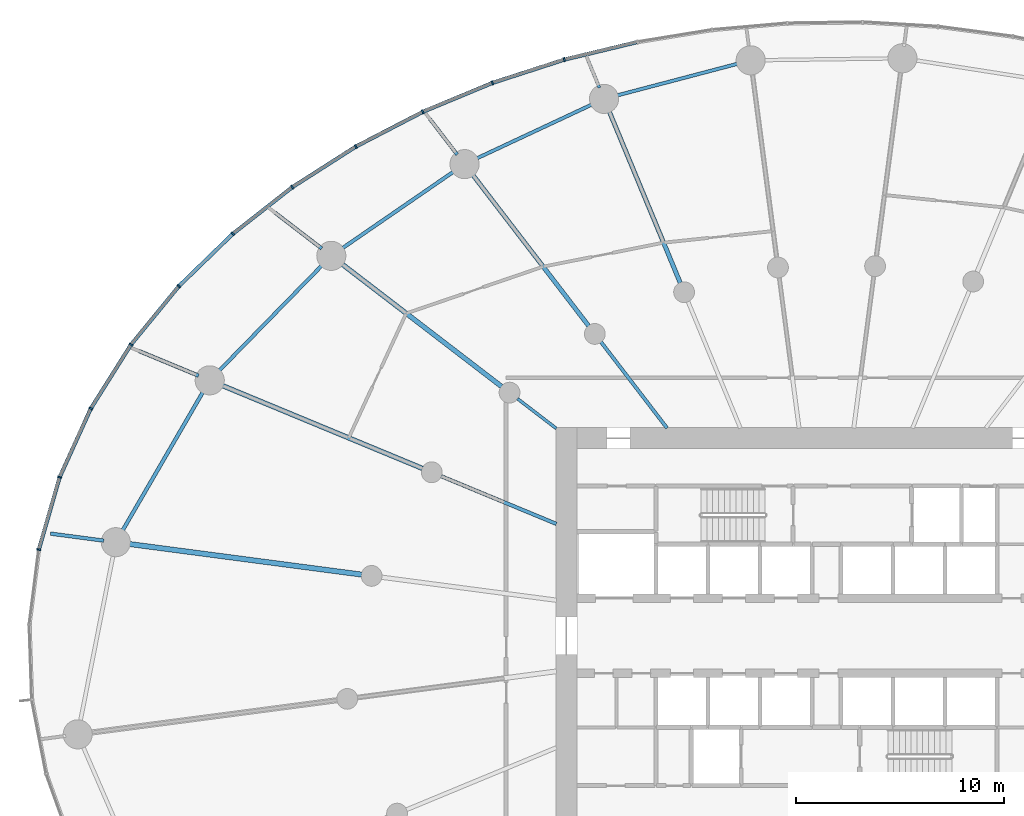
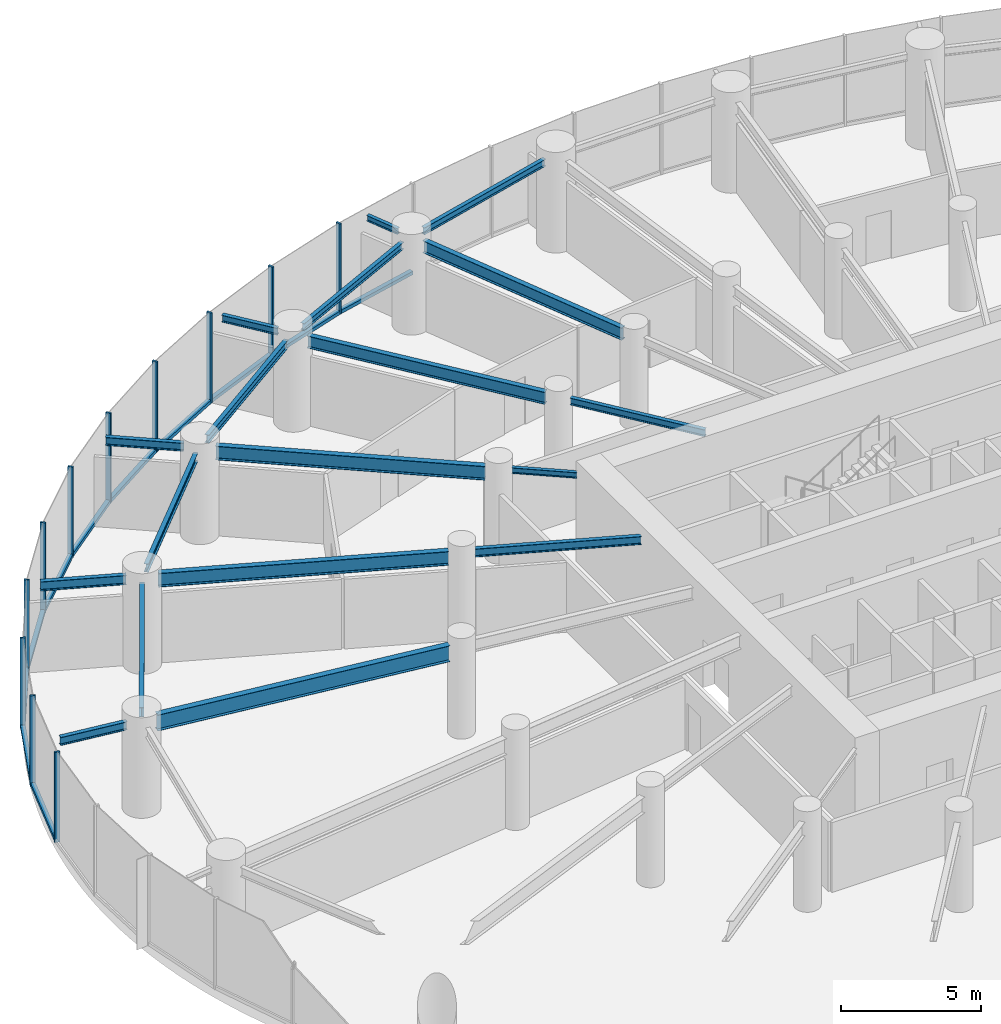
# One storey, part 6 of 19: 22 members, 18 beams, 3 elements without a shape of their own.
"""IFC4 building model written with IfcOpenShell, lengths in metres."""

from ifc_helpers import new_model, si_unit, direction, frame, origin, origin_2d, place, context, subcontext, project, spatial, rectangle, i_section, extrude, source, transform, mapped, material, layer, layer_set, material_profile, profile_set, type_object, element, aggregate, save


model = new_model("IFC4")

# Units and contexts
model_context = context("Model", 3, precision=1e-05, world=origin(), true_north=direction((0.0, 1.0)))
body_context = subcontext(model_context, "Body", "Model", "MODEL_VIEW")
ifc_project = project(units=[si_unit("LENGTHUNIT", "METRE"), si_unit("AREAUNIT", "SQUARE_METRE"), si_unit("VOLUMEUNIT", "CUBIC_METRE"), si_unit("PLANEANGLEUNIT", "RADIAN"), si_unit("MASSUNIT", "GRAM", prefix="KILO")], contexts=[model_context])

# Site, building, storey
site_placement = place(None, origin())
site = spatial("IfcSite", under=ifc_project, at=site_placement, CompositionType="ELEMENT")
building_placement = place(site_placement, origin())
building = spatial("IfcBuilding", under=site, at=building_placement, Name="Spindrift Exchange Tower", CompositionType="ELEMENT")
storey_placement = place(building_placement, frame((0.0, 0.0, 27.0)))
storey = spatial("IfcBuildingStorey", under=building, at=storey_placement, Name="L06", CompositionType="ELEMENT", Elevation=27.0)

# Beams
ifc_material_1 = material(Name="Steel Grade 300", Category="steel")
ifc_material_profile_1 = material_profile(ifc_material_1, i_section(OverallWidth=0.208984375, OverallDepth=0.532958984375, WebThickness=0.01025390625, FlangeThickness=0.015625, FilletRadius=0.013916015625, at=origin_2d()), Name="530UB92.4")
ifc_profile_set_1 = profile_set([ifc_material_profile_1], Name="Steel Grade 300")
beam_type_1 = type_object("IfcBeamType", Name="Floor Beam 530UB92.4 Steel Grade 300", PredefinedType="BEAM", material=ifc_profile_set_1)
shared_shape_1 = source(origin(), body_context, "Body", "SweptSolid", [
    extrude(i_section(OverallWidth=0.208984375, OverallDepth=0.532958984375, WebThickness=0.01025390625, FlangeThickness=0.015625, FilletRadius=0.013916015625, at=origin_2d()), origin(), (0.0, 0.0, 1.0), 8.99658203125),
])
beam_1_placement = place(storey_placement, frame((44.974609375, 64.9609375, 3.68359375), z_axis=(-0.382685731718, 0.923878580085, 0.0), x_axis=(-0.923878580085, -0.382685731718, 0.0)))
element("IfcBeam", 1, at=beam_1_placement, inside=storey, type_object=beam_type_1, Name="L06 radial beam R08B", PredefinedType="BEAM", context=body_context, shape_type="MappedRepresentation", body=[
    mapped(shared_shape_1, transform((0.0, 0.0, 0.0), scale=1.0)),
])
ifc_material_profile_2 = material_profile(ifc_material_1, i_section(OverallWidth=0.1650390625, OverallDepth=0.303955078125, WebThickness=0.006103515625, FlangeThickness=0.01025390625, FilletRadius=0.011474609375, at=origin_2d()), Name="310UB40.4")
ifc_profile_set_2 = profile_set([ifc_material_profile_2], Name="Steel Grade 300")
beam_type_2 = type_object("IfcBeamType", Name="Floor Beam 310UB40.4 Steel Grade 300", PredefinedType="BEAM", material=ifc_profile_set_2)
shared_shape_2 = source(origin(), body_context, "Body", "SweptSolid", [
    extrude(i_section(OverallWidth=0.1650390625, OverallDepth=0.303955078125, WebThickness=0.006103515625, FlangeThickness=0.01025390625, FilletRadius=0.011474609375, at=origin_2d()), origin(), (0.0, 0.0, 1.0), 5.224609375),
])
beam_2_placement = place(storey_placement, frame((44.3388671875, 57.984130859375, 3.798095703125), z_axis=(-0.608741499316, 0.793368632485, 0.0), x_axis=(-0.793368632485, -0.608741499316, 0.0)))
element("IfcBeam", 2, at=beam_2_placement, inside=storey, type_object=beam_type_2, Name="L06 radial beam R09A", PredefinedType="BEAM", context=body_context, shape_type="MappedRepresentation", body=[
    mapped(shared_shape_2, transform((0.0, 0.0, 0.0), scale=1.0)),
])
shared_shape_3 = source(origin(), body_context, "Body", "SweptSolid", [
    extrude(i_section(OverallWidth=0.208984375, OverallDepth=0.532958984375, WebThickness=0.01025390625, FlangeThickness=0.015625, FilletRadius=0.013916015625, at=origin_2d()), origin(), (0.0, 0.0, 1.0), 9.227783203125),
])
beam_3_placement = place(storey_placement, frame((40.573974609375, 62.890625, 3.68359375), z_axis=(-0.608747534474, 0.79336400175, 0.0), x_axis=(-0.79336400175, -0.608747534474, 0.0)))
element("IfcBeam", 3, at=beam_3_placement, inside=storey, type_object=beam_type_1, Name="L06 radial beam R09B", PredefinedType="BEAM", context=body_context, shape_type="MappedRepresentation", body=[
    mapped(shared_shape_3, transform((0.0, 0.0, 0.0), scale=1.0)),
])
ifc_material_profile_3 = material_profile(ifc_material_1, i_section(OverallWidth=0.14599609375, OverallDepth=0.251953125, WebThickness=0.006103515625, FlangeThickness=0.008544921875, FilletRadius=0.011962890625, at=origin_2d()), Name="250UB31.4")
ifc_profile_set_3 = profile_set([ifc_material_profile_3], Name="Steel Grade 300")
beam_type_3 = type_object("IfcBeamType", Name="Floor Beam 250UB31.4 Steel Grade 300", PredefinedType="BEAM", material=ifc_profile_set_3)
shared_shape_4 = source(origin(), body_context, "Body", "SweptSolid", [
    extrude(i_section(OverallWidth=0.14599609375, OverallDepth=0.251953125, WebThickness=0.006103515625, FlangeThickness=0.008544921875, FilletRadius=0.011962890625, at=origin_2d()), origin(), (0.0, 0.0, 1.0), 2.353759765625),
])
beam_4_placement = place(storey_placement, frame((39.015869140625, 57.963134765625, 3.823974609375), z_axis=(-0.793367573265, 0.608742879787, 0.0), x_axis=(-0.608742879787, -0.793367573265, 0.0)))
element("IfcBeam", 4, at=beam_4_placement, inside=storey, type_object=beam_type_3, Name="L06 radial beam R10A", PredefinedType="BEAM", context=body_context, shape_type="MappedRepresentation", body=[
    mapped(shared_shape_4, transform((0.0, 0.0, 0.0), scale=1.0)),
])
ifc_material_profile_4 = material_profile(ifc_material_1, i_section(OverallWidth=0.22802734375, OverallDepth=0.60693359375, WebThickness=0.01123046875, FlangeThickness=0.017333984375, FilletRadius=0.013916015625, at=origin_2d()), Name="610UB113")
ifc_profile_set_4 = profile_set([ifc_material_profile_4], Name="Steel Grade 300")
beam_type_4 = type_object("IfcBeamType", Name="Floor Beam 610UB113 Steel Grade 300", PredefinedType="BEAM", material=ifc_profile_set_4)
shared_shape_5 = source(origin(), body_context, "Body", "SweptSolid", [
    extrude(i_section(OverallWidth=0.22802734375, OverallDepth=0.60693359375, WebThickness=0.01123046875, FlangeThickness=0.017333984375, FilletRadius=0.013916015625, at=origin_2d()), origin(), (0.0, 0.0, 1.0), 9.73974609375),
])
beam_5_placement = place(storey_placement, frame((36.38671875, 59.98046875, 3.646484375), z_axis=(-0.793352119621, 0.608763019814, 0.0), x_axis=(-0.608763019814, -0.793352119621, 0.0)))
element("IfcBeam", 5, at=beam_5_placement, inside=storey, type_object=beam_type_4, Name="L06 radial beam R10B", PredefinedType="BEAM", context=body_context, shape_type="MappedRepresentation", body=[
    mapped(shared_shape_5, transform((0.0, 0.0, 0.0), scale=1.0)),
])
ifc_material_profile_5 = material_profile(ifc_material_1, i_section(OverallWidth=0.172119140625, OverallDepth=0.35888671875, WebThickness=0.008056640625, FlangeThickness=0.012939453125, FilletRadius=0.013916015625, at=origin_2d()), Name="360UB56.7")
ifc_profile_set_5 = profile_set([ifc_material_profile_5], Name="Steel Grade 300")
beam_type_5 = type_object("IfcBeamType", Name="Floor Beam 360UB56.7 Steel Grade 300", PredefinedType="BEAM", material=ifc_profile_set_5)
shared_shape_6 = source(origin(), body_context, "Body", "SweptSolid", [
    extrude(i_section(OverallWidth=0.172119140625, OverallDepth=0.35888671875, WebThickness=0.008056640625, FlangeThickness=0.012939453125, FilletRadius=0.013916015625, at=origin_2d()), origin(), (0.0, 0.0, 1.0), 6.004638671875),
])
beam_6_placement = place(storey_placement, frame((39.0185546875, 53.377197265625, 3.7705078125), z_axis=(-0.923882044911, 0.38267736684, 0.0), x_axis=(-0.38267736684, -0.923882044911, 0.0)))
element("IfcBeam", 6, at=beam_6_placement, inside=storey, type_object=beam_type_5, Name="L06 radial beam R11A", PredefinedType="BEAM", context=body_context, shape_type="MappedRepresentation", body=[
    mapped(shared_shape_6, transform((0.0, 0.0, 0.0), scale=1.0)),
])
shared_shape_7 = source(origin(), body_context, "Body", "SweptSolid", [
    extrude(i_section(OverallWidth=0.22802734375, OverallDepth=0.60693359375, WebThickness=0.01123046875, FlangeThickness=0.017333984375, FilletRadius=0.013916015625, at=origin_2d()), origin(), (0.0, 0.0, 1.0), 10.4912109375),
])
beam_7_placement = place(storey_placement, frame((32.583984375, 56.04248046875, 3.646484375), z_axis=(-0.923885231151, 0.382669674342, 0.0), x_axis=(-0.382669674342, -0.923885231151, 0.0)))
element("IfcBeam", 7, at=beam_7_placement, inside=storey, type_object=beam_type_4, Name="L06 radial beam R11B", PredefinedType="BEAM", context=body_context, shape_type="MappedRepresentation", body=[
    mapped(shared_shape_7, transform((0.0, 0.0, 0.0), scale=1.0)),
])
ifc_material_profile_6 = material_profile(ifc_material_1, i_section(OverallWidth=0.25, OverallDepth=0.699951171875, WebThickness=0.008056640625, FlangeThickness=0.011962890625, at=origin_2d()), Name="700WB115")
ifc_profile_set_6 = profile_set([ifc_material_profile_6], Name="Steel Grade 300")
beam_type_6 = type_object("IfcBeamType", Name="Floor Beam 700WB115 Steel Grade 300", PredefinedType="BEAM", material=ifc_profile_set_6)
shared_shape_8 = source(origin(), body_context, "Body", "SweptSolid", [
    extrude(i_section(OverallWidth=0.25, OverallDepth=0.699951171875, WebThickness=0.008056640625, FlangeThickness=0.011962890625, at=origin_2d()), origin(), (0.0, 0.0, 1.0), 11.34423828125),
])
beam_8_placement = place(storey_placement, frame((29.660888671875, 50.94091796875, 3.60009765625), z_axis=(-0.991444770187, 0.130526884848, 0.0), x_axis=(-0.130526884848, -0.991444770187, 0.0)))
element("IfcBeam", 8, at=beam_8_placement, inside=storey, type_object=beam_type_6, Name="L06 radial beam R12B", PredefinedType="BEAM", context=body_context, shape_type="MappedRepresentation", body=[
    mapped(shared_shape_8, transform((0.0, 0.0, 0.0), scale=1.0)),
])
ifc_material_profile_7 = material_profile(ifc_material_1, i_section(OverallWidth=0.1650390625, OverallDepth=0.303955078125, WebThickness=0.006103515625, FlangeThickness=0.01025390625, FilletRadius=0.011474609375, at=origin_2d()), Name="310UB40.4")
ifc_profile_set_7 = profile_set([ifc_material_profile_7], Name="Steel Grade 300")
beam_type_7 = type_object("IfcBeamType", Name="Edge Beam 310UB40.4 Steel Grade 300", PredefinedType="SPANDREL", material=ifc_profile_set_7)
shared_shape_9 = source(origin(), body_context, "Body", "SweptSolid", [
    extrude(i_section(OverallWidth=0.1650390625, OverallDepth=0.303955078125, WebThickness=0.006103515625, FlangeThickness=0.01025390625, FilletRadius=0.011474609375, at=origin_2d()), origin(), (0.0, 0.0, 1.0), 6.128173828125),
])
beam_9_placement = place(storey_placement, frame((47.79736328125, 75.513916015625, 3.798095703125), z_axis=(-0.967147261855, -0.254216785216, 0.0), x_axis=(0.254216785216, -0.967147261855, 0.0)))
element("IfcBeam", 9, at=beam_9_placement, inside=storey, type_object=beam_type_7, Name="L06 edge beam E07", PredefinedType="SPANDREL", context=body_context, shape_type="MappedRepresentation", body=[
    mapped(shared_shape_9, transform((0.0, 0.0, 0.0), scale=1.0)),
])
shared_shape_10 = source(origin(), body_context, "Body", "SweptSolid", [
    extrude(i_section(OverallWidth=0.1650390625, OverallDepth=0.303955078125, WebThickness=0.006103515625, FlangeThickness=0.01025390625, FilletRadius=0.011474609375, at=origin_2d()), origin(), (0.0, 0.0, 1.0), 6.243408203125),
])
beam_10_placement = place(storey_placement, frame((40.7841796875, 73.56298828125, 3.798095703125), z_axis=(-0.905791146607, -0.423724437257, 0.0), x_axis=(0.423724437257, -0.905791146607, 0.0)))
element("IfcBeam", 10, at=beam_10_placement, inside=storey, type_object=beam_type_7, Name="L06 edge beam E08", PredefinedType="SPANDREL", context=body_context, shape_type="MappedRepresentation", body=[
    mapped(shared_shape_10, transform((0.0, 0.0, 0.0), scale=1.0)),
])
ifc_material_profile_8 = material_profile(ifc_material_1, i_section(OverallWidth=0.172119140625, OverallDepth=0.35888671875, WebThickness=0.008056640625, FlangeThickness=0.012939453125, FilletRadius=0.013916015625, at=origin_2d()), Name="360UB56.7")
ifc_profile_set_8 = profile_set([ifc_material_profile_8], Name="Steel Grade 300")
beam_type_8 = type_object("IfcBeamType", Name="Edge Beam 360UB56.7 Steel Grade 300", PredefinedType="SPANDREL", material=ifc_profile_set_8)
shared_shape_11 = source(origin(), body_context, "Body", "SweptSolid", [
    extrude(i_section(OverallWidth=0.172119140625, OverallDepth=0.35888671875, WebThickness=0.008056640625, FlangeThickness=0.012939453125, FilletRadius=0.013916015625, at=origin_2d()), origin(), (0.0, 0.0, 1.0), 6.614990234375),
])
beam_11_placement = place(storey_placement, frame((34.125732421875, 70.3427734375, 3.7705078125), z_axis=(-0.823690708835, -0.567039342708, 0.0), x_axis=(0.567039342708, -0.823690708835, 0.0)))
element("IfcBeam", 11, at=beam_11_placement, inside=storey, type_object=beam_type_8, Name="L06 edge beam E09", PredefinedType="SPANDREL", context=body_context, shape_type="MappedRepresentation", body=[
    mapped(shared_shape_11, transform((0.0, 0.0, 0.0), scale=1.0)),
])
shared_shape_12 = source(origin(), body_context, "Body", "SweptSolid", [
    extrude(i_section(OverallWidth=0.172119140625, OverallDepth=0.35888671875, WebThickness=0.008056640625, FlangeThickness=0.012939453125, FilletRadius=0.013916015625, at=origin_2d()), origin(), (0.0, 0.0, 1.0), 7.2041015625),
])
beam_12_placement = place(storey_placement, frame((27.794189453125, 65.847900390625, 3.7705078125), z_axis=(-0.698703626006, -0.715411240481, 0.0), x_axis=(0.715411240481, -0.698703626006, 0.0)))
element("IfcBeam", 12, at=beam_12_placement, inside=storey, type_object=beam_type_8, Name="L06 edge beam E10", PredefinedType="SPANDREL", context=body_context, shape_type="MappedRepresentation", body=[
    mapped(shared_shape_12, transform((0.0, 0.0, 0.0), scale=1.0)),
])
ifc_material_profile_9 = material_profile(ifc_material_1, i_section(OverallWidth=0.177978515625, OverallDepth=0.406005859375, WebThickness=0.0078125, FlangeThickness=0.0126953125, FilletRadius=0.013916015625, at=origin_2d()), Name="410UB59.7")
ifc_profile_set_9 = profile_set([ifc_material_profile_9], Name="Steel Grade 300")
beam_type_9 = type_object("IfcBeamType", Name="Edge Beam 410UB59.7 Steel Grade 300", PredefinedType="SPANDREL", material=ifc_profile_set_9)
shared_shape_13 = source(origin(), body_context, "Body", "SweptSolid", [
    extrude(i_section(OverallWidth=0.177978515625, OverallDepth=0.406005859375, WebThickness=0.0078125, FlangeThickness=0.0126953125, FilletRadius=0.013916015625, at=origin_2d()), origin(), (0.0, 0.0, 1.0), 7.837646484375),
])
beam_13_placement = place(storey_placement, frame((22.064208984375, 59.777587890625, 3.7470703125), z_axis=(-0.50198145655, -0.864878382942, 0.0), x_axis=(0.864878382942, -0.50198145655, 0.0)))
element("IfcBeam", 13, at=beam_13_placement, inside=storey, type_object=beam_type_9, Name="L06 edge beam E11", PredefinedType="SPANDREL", context=body_context, shape_type="MappedRepresentation", body=[
    mapped(shared_shape_13, transform((0.0, 0.0, 0.0), scale=1.0)),
])
ifc_material_profile_10 = material_profile(ifc_material_1, i_section(OverallWidth=0.14599609375, OverallDepth=0.251953125, WebThickness=0.006103515625, FlangeThickness=0.008544921875, FilletRadius=0.011962890625, at=origin_2d()), Name="250UB31.4")
ifc_profile_set_10 = profile_set([ifc_material_profile_10], Name="Steel Grade 300")
beam_type_10 = type_object("IfcBeamType", Name="Cantilever Beam 250UB31.4 Steel Grade 300", PredefinedType="BEAM", material=ifc_profile_set_10)
shared_shape_14 = source(origin(), body_context, "Body", "SweptSolid", [
    extrude(i_section(OverallWidth=0.14599609375, OverallDepth=0.251953125, WebThickness=0.006103515625, FlangeThickness=0.008544921875, FilletRadius=0.011962890625, at=origin_2d()), origin(), (0.0, 0.0, 1.0), 1.39453125),
])
beam_14_placement = place(storey_placement, frame((41.087890625, 74.344482421875, 3.823974609375), z_axis=(-0.382712576749, 0.923867459974, 0.0), x_axis=(-0.923867459974, -0.382712576749, 0.0)))
element("IfcBeam", 14, at=beam_14_placement, inside=storey, type_object=beam_type_10, Name="L06 cantilever beam R08T", PredefinedType="BEAM", context=body_context, shape_type="MappedRepresentation", body=[
    mapped(shared_shape_14, transform((0.0, 0.0, 0.0), scale=1.0)),
])
ifc_material_profile_11 = material_profile(ifc_material_1, i_section(OverallWidth=0.1650390625, OverallDepth=0.303955078125, WebThickness=0.006103515625, FlangeThickness=0.01025390625, FilletRadius=0.011474609375, at=origin_2d()), Name="310UB40.4")
ifc_profile_set_11 = profile_set([ifc_material_profile_11], Name="Steel Grade 300")
beam_type_11 = type_object("IfcBeamType", Name="Cantilever Beam 310UB40.4 Steel Grade 300", PredefinedType="BEAM", material=ifc_profile_set_11)
shared_shape_15 = source(origin(), body_context, "Body", "SweptSolid", [
    extrude(i_section(OverallWidth=0.1650390625, OverallDepth=0.303955078125, WebThickness=0.006103515625, FlangeThickness=0.01025390625, FilletRadius=0.011474609375, at=origin_2d()), origin(), (0.0, 0.0, 1.0), 2.1640625),
])
beam_15_placement = place(storey_placement, frame((34.250244140625, 71.1318359375, 3.798095703125), z_axis=(-0.608772550494, 0.793344806352, 0.0), x_axis=(-0.793344806352, -0.608772550494, 0.0)))
element("IfcBeam", 15, at=beam_15_placement, inside=storey, type_object=beam_type_11, Name="L06 cantilever beam R09T", PredefinedType="BEAM", context=body_context, shape_type="MappedRepresentation", body=[
    mapped(shared_shape_15, transform((0.0, 0.0, 0.0), scale=1.0)),
])
ifc_material_profile_12 = material_profile(ifc_material_1, i_section(OverallWidth=0.172119140625, OverallDepth=0.35888671875, WebThickness=0.008056640625, FlangeThickness=0.012939453125, FilletRadius=0.013916015625, at=origin_2d()), Name="360UB56.7")
ifc_profile_set_12 = profile_set([ifc_material_profile_12], Name="Steel Grade 300")
beam_type_12 = type_object("IfcBeamType", Name="Cantilever Beam 360UB56.7 Steel Grade 300", PredefinedType="BEAM", material=ifc_profile_set_12)
shared_shape_16 = source(origin(), body_context, "Body", "SweptSolid", [
    extrude(i_section(OverallWidth=0.172119140625, OverallDepth=0.35888671875, WebThickness=0.008056640625, FlangeThickness=0.012939453125, FilletRadius=0.013916015625, at=origin_2d()), origin(), (0.0, 0.0, 1.0), 2.820556640625),
])
beam_16_placement = place(storey_placement, frame((27.7392578125, 66.615966796875, 3.7705078125), z_axis=(-0.793334604379, 0.608785845346, 0.0), x_axis=(-0.608785845346, -0.793334604379, 0.0)))
element("IfcBeam", 16, at=beam_16_placement, inside=storey, type_object=beam_type_12, Name="L06 cantilever beam R10T", PredefinedType="BEAM", context=body_context, shape_type="MappedRepresentation", body=[
    mapped(shared_shape_16, transform((0.0, 0.0, 0.0), scale=1.0)),
])
ifc_material_profile_13 = material_profile(ifc_material_1, i_section(OverallWidth=0.177978515625, OverallDepth=0.406005859375, WebThickness=0.0078125, FlangeThickness=0.0126953125, FilletRadius=0.013916015625, at=origin_2d()), Name="410UB59.7")
ifc_profile_set_13 = profile_set([ifc_material_profile_13], Name="Steel Grade 300")
beam_type_13 = type_object("IfcBeamType", Name="Cantilever Beam 410UB59.7 Steel Grade 300", PredefinedType="BEAM", material=ifc_profile_set_13)
shared_shape_17 = source(origin(), body_context, "Body", "SweptSolid", [
    extrude(i_section(OverallWidth=0.177978515625, OverallDepth=0.406005859375, WebThickness=0.0078125, FlangeThickness=0.0126953125, FilletRadius=0.013916015625, at=origin_2d()), origin(), (0.0, 0.0, 1.0), 3.094482421875),
])
beam_17_placement = place(storey_placement, frame((21.819580078125, 60.501220703125, 3.7470703125), z_axis=(-0.923891828378, 0.382653746168, 0.0), x_axis=(-0.382653746168, -0.923891828378, 0.0)))
element("IfcBeam", 17, at=beam_17_placement, inside=storey, type_object=beam_type_13, Name="L06 cantilever beam R11T", PredefinedType="BEAM", context=body_context, shape_type="MappedRepresentation", body=[
    mapped(shared_shape_17, transform((0.0, 0.0, 0.0), scale=1.0)),
])
shared_shape_18 = source(origin(), body_context, "Body", "SweptSolid", [
    extrude(i_section(OverallWidth=0.172119140625, OverallDepth=0.35888671875, WebThickness=0.008056640625, FlangeThickness=0.012939453125, FilletRadius=0.013916015625, at=origin_2d()), origin(), (0.0, 0.0, 1.0), 2.5859375),
])
beam_18_placement = place(storey_placement, frame((17.263916015625, 52.572998046875, 3.7705078125), z_axis=(-0.991438541987, 0.130574183751, 0.0), x_axis=(-0.130574183751, -0.991438541987, 0.0)))
element("IfcBeam", 18, at=beam_18_placement, inside=storey, type_object=beam_type_12, Name="L06 cantilever beam R12T", PredefinedType="BEAM", context=body_context, shape_type="MappedRepresentation", body=[
    mapped(shared_shape_18, transform((0.0, 0.0, 0.0), scale=1.0)),
])

# Curtain wall, members
ifc_material_2 = material(Name="Fritted laminated glass with bronze frame", Category="glass")
ifc_layer = layer(ifc_material_2, 0.199951171875)
ifc_layer_set = layer_set([ifc_layer], Name="ZONE 1 BRONZE FRITTED WALL")
curtain_wall_type = type_object("IfcCurtainWallType", Name="ZONE 1 BRONZE FRITTED WALL", PredefinedType="NOTDEFINED", material=ifc_layer_set)
curtain_wall_1_placement = place(storey_placement, origin())
curtain_wall_1 = element("IfcCurtainWall", 19, at=curtain_wall_1_placement, inside=storey, type_object=curtain_wall_type, Name="L06 Zone 1 Bronze Fritted Wall run 4", PredefinedType="NOTDEFINED")
ifc_material_3 = material(Name="Bronze anodised aluminium", Category="aluminium")
ifc_material_profile_14 = material_profile(ifc_material_3, rectangle(XDim=0.080078125, YDim=0.199951171875, at=origin_2d()), Name="ZONE 1 BRONZE FRITTED WALL MULLION 80X200")
ifc_profile_set_14 = profile_set([ifc_material_profile_14], Name="Bronze anodised aluminium")
member_type_1 = type_object("IfcMemberType", Name="ZONE 1 BRONZE FRITTED WALL MULLION 80X200", PredefinedType="MULLION", material=ifc_profile_set_14)
shared_shape_19 = source(origin(), body_context, "Body", "SweptSolid", [
    extrude(rectangle(XDim=0.080078125, YDim=0.199951171875, at=origin_2d()), origin(), (0.0, 0.0, 1.0), 3.949951171875),
])
member_1_placement = place(storey_placement, frame((39.397705078125, 75.697021484375, 0.0), z_axis=(0.0, 0.0, 1.0), x_axis=(-0.962506659153, -0.271258052572, 0.0)))
member_1 = element("IfcMember", 20, at=member_1_placement, type_object=member_type_1, Name="L06 mullion CW-1.19", PredefinedType="MULLION", context=body_context, shape_type="MappedRepresentation", body=[
    mapped(shared_shape_19, transform((0.0, 0.0, 0.0), scale=1.0)),
])
member_2_placement = place(storey_placement, frame((35.947021484375, 74.5791015625, 0.0), z_axis=(0.0, 0.0, 1.0), x_axis=(-0.938164383736, -0.346190105417, 0.0)))
member_2 = element("IfcMember", 21, at=member_2_placement, type_object=member_type_1, Name="L06 mullion CW-1.20", PredefinedType="MULLION", context=body_context, shape_type="MappedRepresentation", body=[
    mapped(shared_shape_19, transform((0.0, 0.0, 0.0), scale=1.0)),
])
member_3_placement = place(storey_placement, frame((32.597412109375, 73.187744140625, 0.0), z_axis=(0.0, 0.0, 1.0), x_axis=(-0.906413514285, -0.422391454839, 0.0)))
member_3 = element("IfcMember", 22, at=member_3_placement, type_object=member_type_1, Name="L06 mullion CW-1.21", PredefinedType="MULLION", context=body_context, shape_type="MappedRepresentation", body=[
    mapped(shared_shape_19, transform((0.0, 0.0, 0.0), scale=1.0)),
])
member_4_placement = place(storey_placement, frame((29.377685546875, 71.517822265625, 0.0), z_axis=(0.0, 0.0, 1.0), x_axis=(-0.866063615265, -0.499933809933, 0.0)))
member_4 = element("IfcMember", 23, at=member_4_placement, type_object=member_type_1, Name="L06 mullion CW-1.22", PredefinedType="MULLION", context=body_context, shape_type="MappedRepresentation", body=[
    mapped(shared_shape_19, transform((0.0, 0.0, 0.0), scale=1.0)),
])
member_5_placement = place(storey_placement, frame((26.3212890625, 69.56494140625, 0.0), z_axis=(0.0, 0.0, 1.0), x_axis=(-0.81561250978, -0.578598508373, 0.0)))
member_5 = element("IfcMember", 24, at=member_5_placement, type_object=member_type_1, Name="L06 mullion CW-1.23", PredefinedType="MULLION", context=body_context, shape_type="MappedRepresentation", body=[
    mapped(shared_shape_19, transform((0.0, 0.0, 0.0), scale=1.0)),
])
member_6_placement = place(storey_placement, frame((23.468505859375, 67.32568359375, 0.0), z_axis=(0.0, 0.0, 1.0), x_axis=(-0.753207583251, -0.65778289468, 0.0)))
member_6 = element("IfcMember", 25, at=member_6_placement, type_object=member_type_1, Name="L06 mullion CW-1.24", PredefinedType="MULLION", context=body_context, shape_type="MappedRepresentation", body=[
    mapped(shared_shape_19, transform((0.0, 0.0, 0.0), scale=1.0)),
])

curtain_wall_2_placement = place(storey_placement, origin())
curtain_wall_2 = element("IfcCurtainWall", 26, at=curtain_wall_2_placement, inside=storey, type_object=curtain_wall_type, Name="L06 Zone 1 Bronze Fritted Wall run 5", PredefinedType="NOTDEFINED")
member_7_placement = place(storey_placement, frame((20.86572265625, 64.800537109375, 0.0), z_axis=(0.0, 0.0, 1.0), x_axis=(-0.676751421836, -0.736211595293, 0.0)))
member_7 = element("IfcMember", 27, at=member_7_placement, type_object=member_type_1, Name="L06 mullion CW-1.25", PredefinedType="MULLION", context=body_context, shape_type="MappedRepresentation", body=[
    mapped(shared_shape_19, transform((0.0, 0.0, 0.0), scale=1.0)),
])
member_8_placement = place(storey_placement, frame((18.568359375, 61.9951171875, 0.0), z_axis=(0.0, 0.0, 1.0), x_axis=(-0.584181495392, -0.811623053173, 0.0)))
member_8 = element("IfcMember", 28, at=member_8_placement, type_object=member_type_1, Name="L06 mullion CW-1.26", PredefinedType="MULLION", context=body_context, shape_type="MappedRepresentation", body=[
    mapped(shared_shape_19, transform((0.0, 0.0, 0.0), scale=1.0)),
])
member_9_placement = place(storey_placement, frame((16.6376953125, 58.92626953125, 0.0), z_axis=(0.0, 0.0, 1.0), x_axis=(-0.473907954291, -0.880574386898, 0.0)))
member_9 = element("IfcMember", 29, at=member_9_placement, type_object=member_type_1, Name="L06 mullion CW-1.27", PredefinedType="MULLION", context=body_context, shape_type="MappedRepresentation", body=[
    mapped(shared_shape_19, transform((0.0, 0.0, 0.0), scale=1.0)),
])
member_10_placement = place(storey_placement, frame((15.139892578125, 55.625, 0.0), z_axis=(0.0, 0.0, 1.0), x_axis=(-0.345671592809, -0.938355556239, 0.0)))
member_10 = element("IfcMember", 30, at=member_10_placement, type_object=member_type_1, Name="L06 mullion CW-1.28", PredefinedType="MULLION", context=body_context, shape_type="MappedRepresentation", body=[
    mapped(shared_shape_19, transform((0.0, 0.0, 0.0), scale=1.0)),
])
member_11_placement = place(storey_placement, frame((14.13818359375, 52.141357421875, 0.0), z_axis=(0.0, 0.0, 1.0), x_axis=(-0.201513823664, -0.97948567058, 0.0)))
member_11 = element("IfcMember", 31, at=member_11_placement, type_object=member_type_1, Name="L06 mullion CW-1.29", PredefinedType="MULLION", context=body_context, shape_type="MappedRepresentation", body=[
    mapped(shared_shape_19, transform((0.0, 0.0, 0.0), scale=1.0)),
])
ifc_material_profile_15 = material_profile(ifc_material_3, rectangle(XDim=0.179931640625, YDim=0.14990234375, at=origin_2d()), Name="ZONE 1 BRONZE FRITTED WALL TRANSOM 180X150")
ifc_profile_set_15 = profile_set([ifc_material_profile_15], Name="Bronze anodised aluminium")
member_type_2 = type_object("IfcMemberType", Name="ZONE 1 BRONZE FRITTED WALL TRANSOM 180X150", PredefinedType="USERDEFINED", material=ifc_profile_set_15)
shared_shape_20 = source(origin(), body_context, "Body", "SweptSolid", [
    extrude(rectangle(XDim=0.179931640625, YDim=0.14990234375, at=origin_2d()), origin(), (0.0, 0.0, 1.0), 3.544921875),
])
member_12_placement = place(storey_placement, frame((15.12890625, 55.58642578125, 0.074951171875), z_axis=(-0.276385351583, -0.961046896582, 0.0), x_axis=(0.961046896582, -0.276385351583, 0.0)))
member_12 = element("IfcMember", 32, at=member_12_placement, type_object=member_type_2, Name="L06 transom CW-1.28", ObjectType="TRANSOM", PredefinedType="USERDEFINED", context=body_context, shape_type="MappedRepresentation", body=[
    mapped(shared_shape_20, transform((0.0, 0.0, 0.0), scale=1.0)),
])
shared_shape_21 = source(origin(), body_context, "Body", "SweptSolid", [
    extrude(rectangle(XDim=0.179931640625, YDim=0.14990234375, at=origin_2d()), origin(), (0.0, 0.0, 1.0), 3.546142578125),
])
member_13_placement = place(storey_placement, frame((20.840576171875, 64.76953125, 0.074951171875), z_axis=(-0.633612633468, -0.773650457707, 0.0), x_axis=(0.773650457707, -0.633612633468, 0.0)))
member_13 = element("IfcMember", 33, at=member_13_placement, type_object=member_type_2, Name="L06 transom CW-1.25", ObjectType="TRANSOM", PredefinedType="USERDEFINED", context=body_context, shape_type="MappedRepresentation", body=[
    mapped(shared_shape_21, transform((0.0, 0.0, 0.0), scale=1.0)),
])

# Member
shared_shape_22 = source(origin(), body_context, "Body", "SweptSolid", [
    extrude(rectangle(XDim=0.179931640625, YDim=0.14990234375, at=origin_2d()), origin(), (0.0, 0.0, 1.0), 3.546875),
])
member_14_placement = place(storey_placement, frame((29.343994140625, 71.496337890625, 0.074951171875), z_axis=(-0.842642472285, -0.538473457007, 0.0), x_axis=(0.538473457007, -0.842642472285, 0.0)))
member_14 = element("IfcMember", 34, at=member_14_placement, type_object=member_type_2, Name="L06 transom CW-1.22", ObjectType="TRANSOM", PredefinedType="USERDEFINED", context=body_context, shape_type="MappedRepresentation", body=[
    mapped(shared_shape_22, transform((0.0, 0.0, 0.0), scale=1.0)),
])

member_15_placement = place(storey_placement, frame((26.2900390625, 69.540283203125, 0.074951171875), z_axis=(-0.786683641822, -0.617356337693, 0.0), x_axis=(0.617356337693, -0.786683641822, 0.0)))
member_15 = element("IfcMember", 35, at=member_15_placement, type_object=member_type_2, Name="L06 transom CW-1.23", ObjectType="TRANSOM", PredefinedType="USERDEFINED", context=body_context, shape_type="MappedRepresentation", body=[
    mapped(shared_shape_22, transform((0.0, 0.0, 0.0), scale=1.0)),
])

shared_shape_23 = source(origin(), body_context, "Body", "SweptSolid", [
    extrude(rectangle(XDim=0.179931640625, YDim=0.14990234375, at=origin_2d()), origin(), (0.0, 0.0, 1.0), 3.54736328125),
])
member_16_placement = place(storey_placement, frame((39.35986328125, 75.684814453125, 0.074951171875), z_axis=(-0.951326475811, -0.30818490622, 0.0), x_axis=(0.30818490622, -0.951326475811, 0.0)))
member_16 = element("IfcMember", 36, at=member_16_placement, type_object=member_type_2, Name="L06 transom CW-1.19", ObjectType="TRANSOM", PredefinedType="USERDEFINED", context=body_context, shape_type="MappedRepresentation", body=[
    mapped(shared_shape_23, transform((0.0, 0.0, 0.0), scale=1.0)),
])

member_17_placement = place(storey_placement, frame((35.91015625, 74.56396484375, 0.074951171875), z_axis=(-0.923487713499, -0.383628000823, 0.0), x_axis=(0.383628000823, -0.923487713499, 0.0)))
member_17 = element("IfcMember", 37, at=member_17_placement, type_object=member_type_2, Name="L06 transom CW-1.20", ObjectType="TRANSOM", PredefinedType="USERDEFINED", context=body_context, shape_type="MappedRepresentation", body=[
    mapped(shared_shape_23, transform((0.0, 0.0, 0.0), scale=1.0)),
])

# Curtain wall, member
curtain_wall_3_placement = place(storey_placement, origin())
curtain_wall_3 = element("IfcCurtainWall", 38, at=curtain_wall_3_placement, inside=storey, type_object=curtain_wall_type, Name="L06 Zone 1 Bronze Fritted Wall run 3", PredefinedType="NOTDEFINED")
shared_shape_24 = source(origin(), body_context, "Body", "SweptSolid", [
    extrude(rectangle(XDim=0.179931640625, YDim=0.14990234375, at=origin_2d()), origin(), (0.0, 0.0, 1.0), 3.547119140625),
])
member_18_placement = place(storey_placement, frame((42.885498046875, 76.5361328125, 0.074951171875), z_axis=(-0.972265966713, -0.233877938191, 0.0), x_axis=(0.233877938191, -0.972265966713, 0.0)))
member_18 = element("IfcMember", 39, at=member_18_placement, type_object=member_type_2, Name="L06 transom CW-1.18", ObjectType="TRANSOM", PredefinedType="USERDEFINED", context=body_context, shape_type="MappedRepresentation", body=[
    mapped(shared_shape_24, transform((0.0, 0.0, 0.0), scale=1.0)),
])
aggregate(curtain_wall_3, [member_18])

# Member
member_19_placement = place(storey_placement, frame((32.56201171875, 73.169189453125, 0.074951171875), z_axis=(-0.887722236686, -0.460379441866, 0.0), x_axis=(0.460379441866, -0.887722236686, 0.0)))
member_19 = element("IfcMember", 40, at=member_19_placement, type_object=member_type_2, Name="L06 transom CW-1.21", ObjectType="TRANSOM", PredefinedType="USERDEFINED", context=body_context, shape_type="MappedRepresentation", body=[
    mapped(shared_shape_24, transform((0.0, 0.0, 0.0), scale=1.0)),
])

shared_shape_25 = source(origin(), body_context, "Body", "SweptSolid", [
    extrude(rectangle(XDim=0.179931640625, YDim=0.14990234375, at=origin_2d()), origin(), (0.0, 0.0, 1.0), 3.54638671875),
])
member_20_placement = place(storey_placement, frame((23.439697265625, 67.2978515625, 0.074951171875), z_axis=(-0.717697056837, -0.696355465698, 0.0), x_axis=(0.696355465698, -0.717697056837, 0.0)))
member_20 = element("IfcMember", 41, at=member_20_placement, type_object=member_type_2, Name="L06 transom CW-1.24", ObjectType="TRANSOM", PredefinedType="USERDEFINED", context=body_context, shape_type="MappedRepresentation", body=[
    mapped(shared_shape_25, transform((0.0, 0.0, 0.0), scale=1.0)),
])

aggregate(curtain_wall_1, [member_1, member_16, member_2, member_17, member_3, member_19, member_4, member_14, member_5, member_15, member_6, member_20])

shared_shape_26 = source(origin(), body_context, "Body", "SweptSolid", [
    extrude(rectangle(XDim=0.179931640625, YDim=0.14990234375, at=origin_2d()), origin(), (0.0, 0.0, 1.0), 3.545166015625),
])
member_21_placement = place(storey_placement, frame((16.62109375, 58.889892578125, 0.074951171875), z_axis=(-0.413123137557, -0.910675174371, 0.0), x_axis=(0.910675174371, -0.413123137557, 0.0)))
member_21 = element("IfcMember", 42, at=member_21_placement, type_object=member_type_2, Name="L06 transom CW-1.27", ObjectType="TRANSOM", PredefinedType="USERDEFINED", context=body_context, shape_type="MappedRepresentation", body=[
    mapped(shared_shape_26, transform((0.0, 0.0, 0.0), scale=1.0)),
])

shared_shape_27 = source(origin(), body_context, "Body", "SweptSolid", [
    extrude(rectangle(XDim=0.179931640625, YDim=0.14990234375, at=origin_2d()), origin(), (0.0, 0.0, 1.0), 3.5458984375),
])
member_22_placement = place(storey_placement, frame((18.547119140625, 61.96142578125, 0.074951171875), z_axis=(-0.532515569009, -0.846420208149, 0.0), x_axis=(0.846420208149, -0.532515569009, 0.0)))
member_22 = element("IfcMember", 43, at=member_22_placement, type_object=member_type_2, Name="L06 transom CW-1.26", ObjectType="TRANSOM", PredefinedType="USERDEFINED", context=body_context, shape_type="MappedRepresentation", body=[
    mapped(shared_shape_27, transform((0.0, 0.0, 0.0), scale=1.0)),
])

aggregate(curtain_wall_2, [member_7, member_13, member_8, member_22, member_9, member_21, member_10, member_12, member_11])

save(model, "model.ifc")
